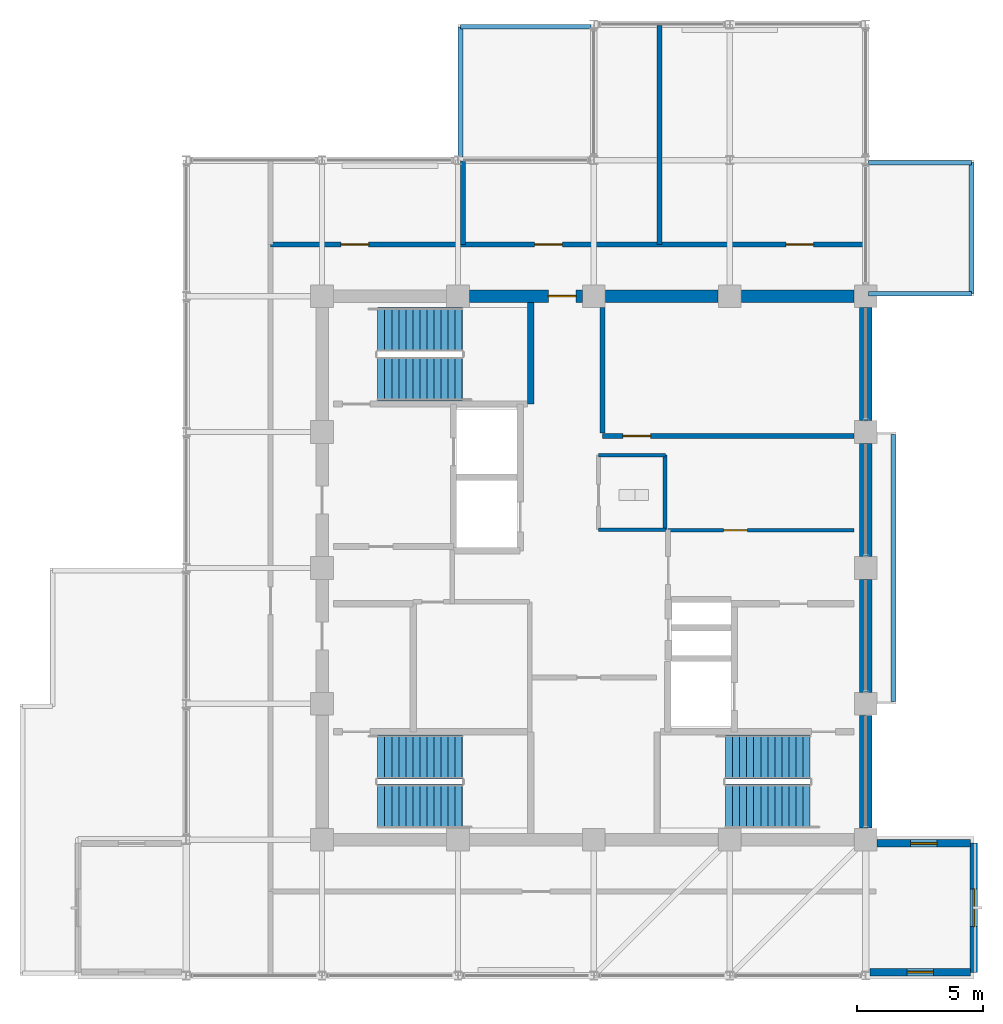
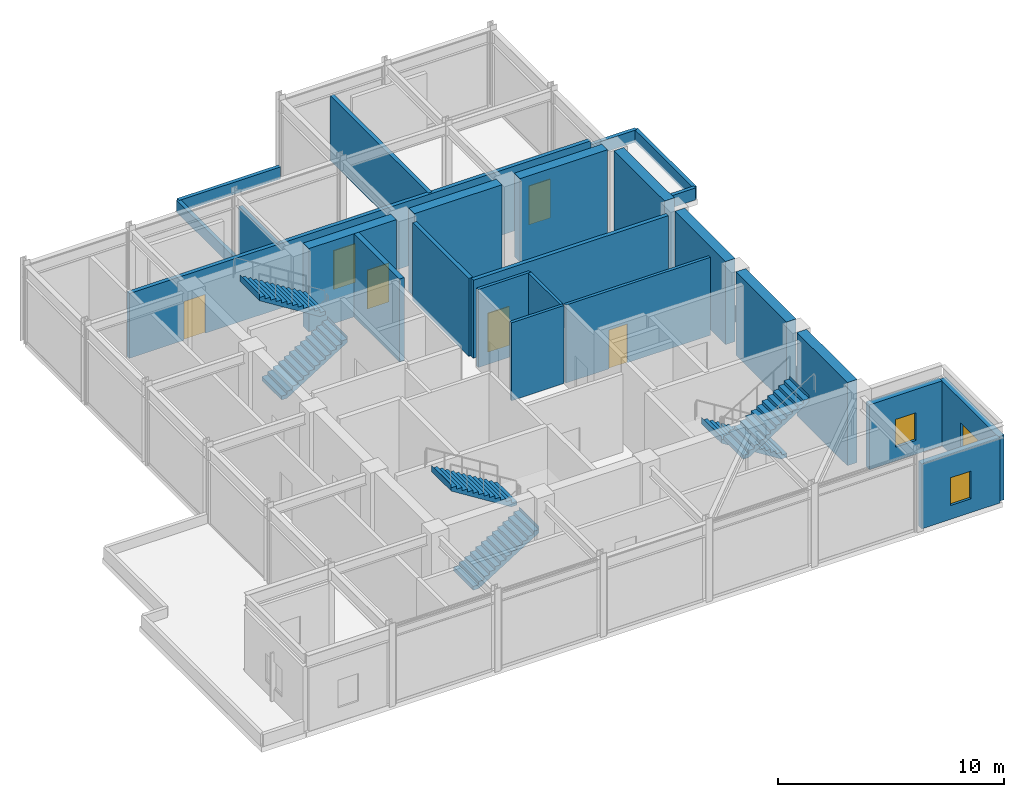
# One storey, part 14 of 18: 26 walls, 6 doors, 6 stair flights, 3 windows, 9 openings, 3 elements without a shape of their own.
"""IFC4 building model written with IfcOpenShell, lengths in metres."""

from ifc_helpers import new_model, si_unit, direction, frame, frame_2d, origin, place, context, subcontext, project, spatial, polyline, rectangle, outline, extrude, material, layer, layer_set, type_object, element, fill, aggregate, save


model = new_model("IFC4")

# Units and contexts
model_context = context("Model", 3, precision=1e-05, world=origin(), true_north=direction((0.0, 1.0)))
body_context = subcontext(model_context, "Body", "Model", "MODEL_VIEW")
ifc_project = project(units=[si_unit("LENGTHUNIT", "METRE"), si_unit("AREAUNIT", "SQUARE_METRE"), si_unit("VOLUMEUNIT", "CUBIC_METRE"), si_unit("PLANEANGLEUNIT", "RADIAN"), si_unit("MASSUNIT", "GRAM", prefix="KILO")], contexts=[model_context])

# Site, building, storey
site_placement = place(None, origin())
site = spatial("IfcSite", under=ifc_project, at=site_placement, CompositionType="ELEMENT")
building_placement = place(site_placement, origin())
building = spatial("IfcBuilding", under=site, at=building_placement, Name="Surkhivell Harbour Commons", CompositionType="ELEMENT")
storey_placement = place(building_placement, frame((0.0, 0.0, 351.0)))
storey = spatial("IfcBuildingStorey", under=building, at=storey_placement, Name="L91", CompositionType="ELEMENT", Elevation=351.0)

# Wall
ifc_material_1 = material(Name="Concrete C50/60", Category="concrete")
ifc_layer_1 = layer(ifc_material_1, 0.5)
ifc_layer_set_1 = layer_set([ifc_layer_1], Name="Concrete C50/60")
wall_type_1 = type_object("IfcWallType", Name="WAL-CORE-500", PredefinedType="SHEAR", material=ifc_layer_set_1)
wall_1_placement = place(storey_placement, frame((10.800048828125, -10.340087890625, 0.0), z_axis=(0.0, 0.0, 1.0), x_axis=(0.0, 1.0, 0.0)))
element("IfcWall", 1, at=wall_1_placement, inside=storey, type_object=wall_type_1, Name="L91 Core Shear Wall East 1", PredefinedType="SHEAR", context=body_context, shape_type="SweptSolid", body=[
    extrude(rectangle(XDim=4.47998046875, YDim=0.5, at=frame_2d((2.239990234375, 0.0))), origin(), (0.0, 0.0, 1.0), 4.5),
])

# Wall, opening, door
wall_2_placement = place(storey_placement, frame((-4.93994140625, 10.800048828125, 0.0), z_axis=(0.0, 0.0, 1.0), x_axis=(1.0, 0.0, 0.0)))
wall_2 = element("IfcWall", 2, at=wall_2_placement, inside=storey, type_object=wall_type_1, Name="L91 Core Shear Wall North 2", PredefinedType="SHEAR", context=body_context, shape_type="SweptSolid", body=[
    extrude(rectangle(XDim=4.47998046875, YDim=0.5, at=frame_2d((2.239990234375, 0.0))), origin(), (0.0, 0.0, 1.0), 4.5),
])
opening_1_placement = place(wall_2_placement, frame((3.1298828125, 0.0, 0.0)))
opening_1 = element("IfcOpeningElement", 3, at=opening_1_placement, cuts=wall_2, Name="Opening ID-2", PredefinedType="OPENING", context=body_context, shape_type="SweptSolid", body=[
    extrude(rectangle(XDim=1.10009765625, YDim=2.10009765625, at=frame_2d((0.550048828125, 1.050048828125))), frame((0.0, 0.260009765625, 0.0), z_axis=(0.0, -1.0, 0.0), x_axis=(1.0, 0.0, 0.0)), (0.0, 0.0, 1.0), 0.52001953125),
])
ifc_material_2 = material(Name="Hardwood-veneered fire-rated door leaf", Category="wood")
door_type_1 = type_object("IfcDoorType", Name="DOR-FD60-1100", OperationType="NOTDEFINED", PredefinedType="DOOR", material=ifc_material_2)
door_1_placement = place(opening_1_placement, origin())
door_1 = element("IfcDoor", 4, at=door_1_placement, inside=storey, type_object=door_type_1, Name="L91 Central Core Lift Hall North Corridor Door", OperationType="SINGLE_SWING_LEFT", OverallHeight=2.10009765625, OverallWidth=1.10009765625, PredefinedType="DOOR", context=body_context, shape_type="SweptSolid", body=[
    extrude(rectangle(XDim=1.10009765625, YDim=2.10009765625, at=frame_2d((0.550048828125, 1.050048828125))), frame((0.0, 0.02490234375, 0.0), z_axis=(0.0, -1.0, 0.0), x_axis=(1.0, 0.0, 0.0)), (0.0, 0.0, 1.0), 0.050048828125),
])
fill(opening_1, door_1)

# Walls
for number, where, z_axis, x_axis, name in (
    (5, (10.800048828125, -4.93994140625, 0.0), (0.0, 0.0, 1.0), (0.0, 1.0, 0.0), "L91 Core Shear Wall East 2"),
    (6, (0.4599609375, 10.800048828125, 0.0), (0.0, 0.0, 1.0), (1.0, 0.0, 0.0), "L91 Core Shear Wall North 3"),
    (7, (10.800048828125, 0.4599609375, 0.0), (0.0, 0.0, 1.0), (0.0, 1.0, 0.0), "L91 Core Shear Wall East 3"),
    (8, (5.860107421875, 10.800048828125, 0.0), (0.0, 0.0, 1.0), (1.0, 0.0, 0.0), "L91 Core Shear Wall North 4"),
    (9, (10.800048828125, 5.860107421875, 0.0), (0.0, 0.0, 1.0), (0.0, 1.0, 0.0), "L91 Core Shear Wall East 4"),
):
    element("IfcWall", number, at=place(storey_placement, frame(where, z_axis=z_axis, x_axis=x_axis)), inside=storey, type_object=wall_type_1, Name=name, PredefinedType="SHEAR", context=body_context, shape_type="SweptSolid", body=[
        extrude(rectangle(XDim=4.47998046875, YDim=0.5, at=frame_2d((2.239990234375, 0.0))), origin(), (0.0, 0.0, 1.0), 4.5),
    ])

# Wall, opening, window
ifc_material_3 = material(Name="Flemish-bond kiln brick and precast concrete C45/55", Category="masonry")
ifc_layer_2 = layer(ifc_material_3, 0.300048828125)
ifc_layer_set_2 = layer_set([ifc_layer_2], Name="Flemish-bond kiln brick and precast concrete C45/55")
wall_type_2 = type_object("IfcWallType", Name="WAL-EXT-BRK300", PredefinedType="STANDARD", material=ifc_layer_set_2)
wall_3_placement = place(storey_placement, frame((15.10009765625, -16.080078125, 0.0), z_axis=(0.0, 0.0, 1.0), x_axis=(0.0, 1.0, 0.0)))
wall_3 = element("IfcWall", 10, at=wall_3_placement, inside=storey, type_object=wall_type_2, Name="L91 Coloured Box Front Wall 01", PredefinedType="STANDARD", context=body_context, shape_type="SweptSolid", body=[
    extrude(rectangle(XDim=5.16015625, YDim=0.300048828125, at=frame_2d((2.580078125, 0.0))), origin(), (0.0, 0.0, 1.0), 3.507080078125),
])
opening_2_placement = place(wall_3_placement, frame((1.830078125, 0.0, 0.75)))
opening_2 = element("IfcOpeningElement", 11, at=opening_2_placement, cuts=wall_3, Name="Opening WN-13", PredefinedType="OPENING", context=body_context, shape_type="SweptSolid", body=[
    extrude(rectangle(XDim=1.5, YDim=1.5, at=frame_2d((0.75, 0.75))), frame((0.0, 0.159912109375, 0.0), z_axis=(0.0, -1.0, 0.0), x_axis=(1.0, 0.0, 0.0)), (0.0, 0.0, 1.0), 0.320068359375),
])
ifc_material_4 = material(Name="Thermal-break aluminium frame and double low-E glazing", Category="aluminium")
window_type_1 = type_object("IfcWindowType", Name="WIN-BOX-1500x1500", PartitioningType="SINGLE_PANEL", PredefinedType="WINDOW", material=ifc_material_4)
window_1_placement = place(opening_2_placement, origin())
window_1 = element("IfcWindow", 12, at=window_1_placement, inside=storey, type_object=window_type_1, Name="L91 Coloured Box Square Window 01-1", OverallHeight=1.5, OverallWidth=1.5, PartitioningType="SINGLE_PANEL", PredefinedType="WINDOW", context=body_context, shape_type="SweptSolid", body=[
    extrude(rectangle(XDim=1.5, YDim=1.5, at=frame_2d((0.75, 0.75))), frame((0.0, 0.030029296875, 0.0), z_axis=(0.0, -1.0, 0.0), x_axis=(1.0, 0.0, 0.0)), (0.0, 0.0, 1.0), 0.06005859375),
])
fill(opening_2, window_1)

wall_4_placement = place(storey_placement, frame((10.97412109375, -16.06005859375, 0.0), z_axis=(0.0, 0.0, 1.0), x_axis=(1.0, 0.0, 0.0)))
wall_4 = element("IfcWall", 13, at=wall_4_placement, inside=storey, type_object=wall_type_2, Name="L91 Coloured Box Return Wall 01S", PredefinedType="STANDARD", context=body_context, shape_type="SweptSolid", body=[
    extrude(rectangle(XDim=3.98583984375, YDim=0.300048828125, at=frame_2d((1.992919921875, 0.0))), origin(), (0.0, 0.0, 1.0), 3.507080078125),
])
opening_3_placement = place(wall_4_placement, frame((1.468017578125, 0.0, 0.75)))
opening_3 = element("IfcOpeningElement", 14, at=opening_3_placement, cuts=wall_4, Name="Opening WN-11", PredefinedType="OPENING", context=body_context, shape_type="SweptSolid", body=[
    extrude(rectangle(XDim=1.050048828125, YDim=1.5, at=frame_2d((0.52490234375, 0.75))), frame((0.0, 0.159912109375, 0.0), z_axis=(0.0, -1.0, 0.0), x_axis=(1.0, 0.0, 0.0)), (0.0, 0.0, 1.0), 0.320068359375),
])
window_type_2 = type_object("IfcWindowType", Name="WIN-SER-1050x1500", PartitioningType="SINGLE_PANEL", PredefinedType="WINDOW", material=ifc_material_4)
window_2_placement = place(opening_3_placement, origin())
window_2 = element("IfcWindow", 15, at=window_2_placement, inside=storey, type_object=window_type_2, Name="L91 Coloured Box Return Window 01S", OverallHeight=1.5, OverallWidth=1.050048828125, PartitioningType="SINGLE_PANEL", PredefinedType="WINDOW", context=body_context, shape_type="SweptSolid", body=[
    extrude(rectangle(XDim=1.050048828125, YDim=1.5, at=frame_2d((0.52490234375, 0.75))), frame((0.0, 0.030029296875, 0.0), z_axis=(0.0, -1.0, 0.0), x_axis=(1.0, 0.0, 0.0)), (0.0, 0.0, 1.0), 0.06005859375),
])
fill(opening_3, window_2)

wall_5_placement = place(storey_placement, frame((11.25390625, -10.93994140625, 0.0), z_axis=(0.0, 0.0, 1.0), x_axis=(1.0, 0.0, 0.0)))
wall_5 = element("IfcWall", 16, at=wall_5_placement, inside=storey, type_object=wall_type_2, Name="L91 Coloured Box Return Wall 01N", PredefinedType="STANDARD", context=body_context, shape_type="SweptSolid", body=[
    extrude(rectangle(XDim=3.7060546875, YDim=0.300048828125, at=frame_2d((1.85302734375, 0.0))), origin(), (0.0, 0.0, 1.0), 3.507080078125),
])
opening_4_placement = place(wall_5_placement, frame((1.327880859375, 0.0, 0.75)))
opening_4 = element("IfcOpeningElement", 17, at=opening_4_placement, cuts=wall_5, Name="Opening WN-11", PredefinedType="OPENING", context=body_context, shape_type="SweptSolid", body=[
    extrude(rectangle(XDim=1.050048828125, YDim=1.5, at=frame_2d((0.52490234375, 0.75))), frame((0.0, 0.159912109375, 0.0), z_axis=(0.0, -1.0, 0.0), x_axis=(1.0, 0.0, 0.0)), (0.0, 0.0, 1.0), 0.320068359375),
])
window_3_placement = place(opening_4_placement, origin())
window_3 = element("IfcWindow", 18, at=window_3_placement, inside=storey, type_object=window_type_2, Name="L91 Coloured Box Return Window 01N", OverallHeight=1.5, OverallWidth=1.050048828125, PartitioningType="SINGLE_PANEL", PredefinedType="WINDOW", context=body_context, shape_type="SweptSolid", body=[
    extrude(rectangle(XDim=1.050048828125, YDim=1.5, at=frame_2d((0.52490234375, 0.75))), frame((0.0, 0.030029296875, 0.0), z_axis=(0.0, -1.0, 0.0), x_axis=(1.0, 0.0, 0.0)), (0.0, 0.0, 1.0), 0.06005859375),
])
fill(opening_4, window_3)

# Walls
ifc_material_5 = material(Name="Twin-stud acoustic fireboard partition", Category="other")
ifc_layer_3 = layer(ifc_material_5, 0.14990234375)
ifc_layer_set_3 = layer_set([ifc_layer_3], Name="Twin-stud acoustic fireboard partition")
wall_type_3 = type_object("IfcWallType", Name="WAL-INT-150", PredefinedType="PARTITIONING", material=ifc_layer_set_3)
wall_6_placement = place(storey_placement, frame((2.820068359375, 1.52001953125, 0.0), z_axis=(0.0, 0.0, 1.0), x_axis=(0.0, 1.0, 0.0)))
element("IfcWall", 19, at=wall_6_placement, inside=storey, type_object=wall_type_3, Name="L91 Core Accessible WC East Wall", PredefinedType="PARTITIONING", context=body_context, shape_type="SweptSolid", body=[
    extrude(rectangle(XDim=2.9599609375, YDim=0.14990234375, at=frame_2d((1.47998046875, 0.0))), origin(), (0.0, 0.0, 1.0), 4.219970703125),
])
for number, where, z_axis, x_axis, name in (
    (20, (0.179931640625, 4.47998046875, 0.0), (0.0, 0.0, 1.0), (1.0, 0.0, 0.0), "L91 Core Accessible WC North Wall"),
    (21, (0.179931640625, 1.52001953125, 0.0), (0.0, 0.0, 1.0), (1.0, 0.0, 0.0), "L91 Core Accessible WC South Wall"),
):
    element("IfcWall", number, at=place(storey_placement, frame(where, z_axis=z_axis, x_axis=x_axis)), inside=storey, type_object=wall_type_3, Name=name, PredefinedType="PARTITIONING", context=body_context, shape_type="SweptSolid", body=[
        extrude(rectangle(XDim=2.670166015625, YDim=0.14990234375, at=frame_2d((1.3349609375, 0.0))), origin(), (0.0, 0.0, 1.0), 4.219970703125),
    ])

# Wall, opening, door
wall_7_placement = place(storey_placement, frame((2.949951171875, 1.5, 0.0), z_axis=(0.0, 0.0, 1.0), x_axis=(1.0, 0.0, 0.0)))
wall_7 = element("IfcWall", 22, at=wall_7_placement, inside=storey, type_object=wall_type_3, Name="L91 Crown East Core Corridor Wall", PredefinedType="PARTITIONING", context=body_context, shape_type="SweptSolid", body=[
    extrude(rectangle(XDim=7.39013671875, YDim=0.14990234375, at=frame_2d((3.695068359375, 0.0))), origin(), (0.0, 0.0, 1.0), 4.219970703125),
])
opening_5_placement = place(wall_7_placement, frame((2.199951171875, 0.0, 0.0)))
opening_5 = element("IfcOpeningElement", 23, at=opening_5_placement, cuts=wall_7, Name="Opening ID-4", PredefinedType="OPENING", context=body_context, shape_type="SweptSolid", body=[
    extrude(rectangle(XDim=0.949951171875, YDim=2.10009765625, at=frame_2d((0.47509765625, 1.050048828125))), frame((0.0, 0.0849609375, 0.0), z_axis=(0.0, -1.0, 0.0), x_axis=(1.0, 0.0, 0.0)), (0.0, 0.0, 1.0), 0.169921875),
])
door_type_2 = type_object("IfcDoorType", Name="DOR-FD60-950", OperationType="NOTDEFINED", PredefinedType="DOOR", material=ifc_material_2)
door_2_placement = place(opening_5_placement, origin())
door_2 = element("IfcDoor", 24, at=door_2_placement, inside=storey, type_object=door_type_2, Name="L91 Crown East Room Door", OperationType="SINGLE_SWING_RIGHT", OverallHeight=2.10009765625, OverallWidth=0.949951171875, PredefinedType="DOOR", context=body_context, shape_type="SweptSolid", body=[
    extrude(rectangle(XDim=0.949951171875, YDim=2.10009765625, at=frame_2d((0.47509765625, 1.050048828125))), frame((0.0, 0.02490234375, 0.0), z_axis=(0.0, -1.0, 0.0), x_axis=(1.0, 0.0, 0.0)), (0.0, 0.0, 1.0), 0.050048828125),
])
fill(opening_5, door_2)

ifc_material_6 = material(Name="Autoclaved aerated concrete blockwork and fire plaster", Category="masonry")
ifc_layer_4 = layer(ifc_material_6, 0.199951171875)
ifc_layer_set_4 = layer_set([ifc_layer_4], Name="Autoclaved aerated concrete blockwork and fire plaster")
wall_type_4 = type_object("IfcWallType", Name="WAL-INT-200", PredefinedType="PARTITIONING", material=ifc_layer_set_4)
wall_8_placement = place(storey_placement, frame((0.35009765625, 5.239990234375, 0.0), z_axis=(0.0, 0.0, 1.0), x_axis=(1.0, 0.0, 0.0)))
wall_8 = element("IfcWall", 25, at=wall_8_placement, inside=storey, type_object=wall_type_4, Name="L91 Reclaimed Core North Bay South Wall", PredefinedType="PARTITIONING", context=body_context, shape_type="SweptSolid", body=[
    extrude(rectangle(XDim=9.989990234375, YDim=0.199951171875, at=frame_2d((4.9951171875, 0.0))), origin(), (0.0, 0.0, 1.0), 4.219970703125),
])
opening_6_placement = place(wall_8_placement, frame((0.800048828125, 0.0, 0.0)))
opening_6 = element("IfcOpeningElement", 26, at=opening_6_placement, cuts=wall_8, Name="Opening ID-2", PredefinedType="OPENING", context=body_context, shape_type="SweptSolid", body=[
    extrude(rectangle(XDim=1.10009765625, YDim=2.10009765625, at=frame_2d((0.550048828125, 1.050048828125))), frame((0.0, 0.10986328125, 0.0), z_axis=(0.0, -1.0, 0.0), x_axis=(1.0, 0.0, 0.0)), (0.0, 0.0, 1.0), 0.219970703125),
])
door_3_placement = place(opening_6_placement, origin())
door_3 = element("IfcDoor", 27, at=door_3_placement, inside=storey, type_object=door_type_1, Name="L91 Core Fan Room Door", OperationType="SINGLE_SWING_LEFT", OverallHeight=2.10009765625, OverallWidth=1.10009765625, PredefinedType="DOOR", context=body_context, shape_type="SweptSolid", body=[
    extrude(rectangle(XDim=1.10009765625, YDim=2.10009765625, at=frame_2d((0.550048828125, 1.050048828125))), frame((0.0, 0.02490234375, 0.0), z_axis=(0.0, -1.0, 0.0), x_axis=(1.0, 0.0, 0.0)), (0.0, 0.0, 1.0), 0.050048828125),
])
fill(opening_6, door_3)

# Walls
wall_9_placement = place(storey_placement, frame((0.35009765625, 5.360107421875, 0.0), z_axis=(0.0, 0.0, 1.0), x_axis=(0.0, 1.0, 0.0)))
element("IfcWall", 28, at=wall_9_placement, inside=storey, type_object=wall_type_4, Name="L91 Reclaimed Core North Bay West Wall", PredefinedType="PARTITIONING", context=body_context, shape_type="SweptSolid", body=[
    extrude(rectangle(XDim=4.97998046875, YDim=0.199951171875, at=frame_2d((2.489990234375, 0.0))), origin(), (0.0, 0.0, 1.0), 4.219970703125),
])
wall_10_placement = place(storey_placement, frame((-5.199951171875, 12.85009765625, 0.0), z_axis=(0.0, 0.0, 1.0), x_axis=(0.0, 1.0, 0.0)))
element("IfcWall", 29, at=wall_10_placement, inside=storey, type_object=wall_type_4, Name="L91 Cooling Bay Wall 1", PredefinedType="PARTITIONING", context=body_context, shape_type="SweptSolid", body=[
    extrude(rectangle(XDim=3.309814453125, YDim=0.199951171875, at=frame_2d((1.65478515625, 0.0))), origin(), (0.0, 0.0, 1.0), 3.507080078125),
])
wall_11_placement = place(storey_placement, frame((2.60009765625, 12.85009765625, 0.0), z_axis=(0.0, 0.0, 1.0), x_axis=(0.0, 1.0, 0.0)))
element("IfcWall", 30, at=wall_11_placement, inside=storey, type_object=wall_type_4, Name="L91 Cooling Bay Wall 2", PredefinedType="PARTITIONING", context=body_context, shape_type="SweptSolid", body=[
    extrude(rectangle(XDim=8.7099609375, YDim=0.199951171875, at=frame_2d((4.35498046875, 0.0))), origin(), (0.0, 0.0, 1.0), 3.507080078125),
])

# Wall, openings, doors
wall_12_placement = place(storey_placement, frame((-12.85009765625, 12.85009765625, 0.0), z_axis=(0.0, 0.0, 1.0), x_axis=(1.0, 0.0, 0.0)))
wall_12 = element("IfcWall", 31, at=wall_12_placement, inside=storey, type_object=wall_type_4, Name="L91 Crown Corridor North Wall", PredefinedType="PARTITIONING", context=body_context, shape_type="SweptSolid", body=[
    extrude(rectangle(XDim=23.610107421875, YDim=0.199951171875, at=frame_2d((11.80517578125, 0.0))), origin(), (0.0, 0.0, 1.0), 3.507080078125),
])
opening_7_placement = place(wall_12_placement, frame((2.800048828125, 0.0, 0.0)))
opening_7 = element("IfcOpeningElement", 32, at=opening_7_placement, cuts=wall_12, Name="Opening ID-2", PredefinedType="OPENING", context=body_context, shape_type="SweptSolid", body=[
    extrude(rectangle(XDim=1.10009765625, YDim=2.10009765625, at=frame_2d((0.550048828125, 1.050048828125))), frame((0.0, 0.10986328125, 0.0), z_axis=(0.0, -1.0, 0.0), x_axis=(1.0, 0.0, 0.0)), (0.0, 0.0, 1.0), 0.219970703125),
])
opening_8_placement = place(wall_12_placement, frame((10.5, 0.0, 0.0)))
opening_8 = element("IfcOpeningElement", 33, at=opening_8_placement, cuts=wall_12, Name="Opening ID-2", PredefinedType="OPENING", context=body_context, shape_type="SweptSolid", body=[
    extrude(rectangle(XDim=1.10009765625, YDim=2.10009765625, at=frame_2d((0.550048828125, 1.050048828125))), frame((0.0, 0.10986328125, 0.0), z_axis=(0.0, -1.0, 0.0), x_axis=(1.0, 0.0, 0.0)), (0.0, 0.0, 1.0), 0.219970703125),
])
opening_9_placement = place(wall_12_placement, frame((20.4814453125, 0.0, 0.0)))
opening_9 = element("IfcOpeningElement", 34, at=opening_9_placement, cuts=wall_12, Name="Opening ID-2", PredefinedType="OPENING", context=body_context, shape_type="SweptSolid", body=[
    extrude(rectangle(XDim=1.10009765625, YDim=2.10009765625, at=frame_2d((0.550048828125, 1.050048828125))), frame((0.0, 0.10986328125, 0.0), z_axis=(0.0, -1.0, 0.0), x_axis=(1.0, 0.0, 0.0)), (0.0, 0.0, 1.0), 0.219970703125),
])
door_4_placement = place(opening_7_placement, origin())
door_4 = element("IfcDoor", 35, at=door_4_placement, inside=storey, type_object=door_type_1, Name="L91 L91 Primary Cooling Tower Bay 1 Door", OperationType="SINGLE_SWING_RIGHT", OverallHeight=2.10009765625, OverallWidth=1.10009765625, PredefinedType="DOOR", context=body_context, shape_type="SweptSolid", body=[
    extrude(rectangle(XDim=1.10009765625, YDim=2.10009765625, at=frame_2d((0.550048828125, 1.050048828125))), frame((0.0, 0.02490234375, 0.0), z_axis=(0.0, -1.0, 0.0), x_axis=(1.0, 0.0, 0.0)), (0.0, 0.0, 1.0), 0.050048828125),
])
fill(opening_7, door_4)
door_5_placement = place(opening_8_placement, origin())
door_5 = element("IfcDoor", 36, at=door_5_placement, inside=storey, type_object=door_type_1, Name="L91 L91 Primary Cooling Tower Bay 2 Door", OperationType="SINGLE_SWING_LEFT", OverallHeight=2.10009765625, OverallWidth=1.10009765625, PredefinedType="DOOR", context=body_context, shape_type="SweptSolid", body=[
    extrude(rectangle(XDim=1.10009765625, YDim=2.10009765625, at=frame_2d((0.550048828125, 1.050048828125))), frame((0.0, 0.02490234375, 0.0), z_axis=(0.0, -1.0, 0.0), x_axis=(1.0, 0.0, 0.0)), (0.0, 0.0, 1.0), 0.050048828125),
])
fill(opening_8, door_5)
door_6_placement = place(opening_9_placement, origin())
door_6 = element("IfcDoor", 37, at=door_6_placement, inside=storey, type_object=door_type_1, Name="L91 L91 Heat Rejection Fan Hall Door", OperationType="SINGLE_SWING_RIGHT", OverallHeight=2.10009765625, OverallWidth=1.10009765625, PredefinedType="DOOR", context=body_context, shape_type="SweptSolid", body=[
    extrude(rectangle(XDim=1.10009765625, YDim=2.10009765625, at=frame_2d((0.550048828125, 1.050048828125))), frame((0.0, 0.02490234375, 0.0), z_axis=(0.0, -1.0, 0.0), x_axis=(1.0, 0.0, 0.0)), (0.0, 0.0, 1.0), 0.050048828125),
])
fill(opening_9, door_6)

# Walls
ifc_material_7 = material(Name="Anodised aluminium and precast concrete C40/50", Category="concrete")
ifc_layer_5 = layer(ifc_material_7, 0.18505859375)
ifc_layer_set_5 = layer_set([ifc_layer_5], Name="Anodised aluminium and precast concrete C40/50")
wall_type_5 = type_object("IfcWallType", Name="WAL-PAR-185", PredefinedType="PARAPET", material=ifc_layer_set_5)
for number, where, z_axis, x_axis, name in (
    (38, (-0.1201171875, 21.5, 0.0), (0.0, 0.0, 1.0), (-1.0, 0.0, 0.0), "L91 Box Roof Coping Parapet 2-1"),
    (39, (-5.300048828125, 21.5, 0.0), (0.0, 0.0, 1.0), (0.0, -1.0, 0.0), "L91 Box Roof Coping Parapet 2-2"),
):
    element("IfcWall", number, at=place(storey_placement, frame(where, z_axis=z_axis, x_axis=x_axis)), inside=storey, type_object=wall_type_5, Name=name, PredefinedType="PARAPET", context=body_context, shape_type="SweptSolid", body=[
        extrude(rectangle(XDim=5.179931640625, YDim=0.18505859375, at=frame_2d((2.58984375, 0.0))), origin(), (0.0, 0.0, 1.0), 0.64990234375),
    ])
wall_13_placement = place(storey_placement, frame((10.919921875, 10.89990234375, 0.0), z_axis=(0.0, 0.0, 1.0), x_axis=(1.0, 0.0, 0.0)))
element("IfcWall", 40, at=wall_13_placement, inside=storey, type_object=wall_type_5, Name="L91 Box Roof Coping Parapet 3-1", PredefinedType="PARAPET", context=body_context, shape_type="SweptSolid", body=[
    extrude(rectangle(XDim=4.080078125, YDim=0.18505859375, at=frame_2d((2.0400390625, 0.0))), origin(), (0.0, 0.0, 1.0), 0.64990234375),
])
wall_14_placement = place(storey_placement, frame((15.0, 10.89990234375, 0.0), z_axis=(0.0, 0.0, 1.0), x_axis=(0.0, 1.0, 0.0)))
element("IfcWall", 41, at=wall_14_placement, inside=storey, type_object=wall_type_5, Name="L91 Box Roof Coping Parapet 3-2", PredefinedType="PARAPET", context=body_context, shape_type="SweptSolid", body=[
    extrude(rectangle(XDim=5.2001953125, YDim=0.18505859375, at=frame_2d((2.60009765625, 0.0))), origin(), (0.0, 0.0, 1.0), 0.64990234375),
])
wall_15_placement = place(storey_placement, frame((15.0, 16.10009765625, 0.0), z_axis=(0.0, 0.0, 1.0), x_axis=(-1.0, 0.0, 0.0)))
element("IfcWall", 42, at=wall_15_placement, inside=storey, type_object=wall_type_5, Name="L91 Box Roof Coping Parapet 3-3", PredefinedType="PARAPET", context=body_context, shape_type="SweptSolid", body=[
    extrude(rectangle(XDim=4.080078125, YDim=0.18505859375, at=frame_2d((2.0400390625, 0.0))), origin(), (0.0, 0.0, 1.0), 0.64990234375),
])
wall_16_placement = place(storey_placement, frame((11.89990234375, -5.300048828125, 0.0), z_axis=(0.0, 0.0, 1.0), x_axis=(0.0, 1.0, 0.0)))
element("IfcWall", 43, at=wall_16_placement, inside=storey, type_object=wall_type_5, Name="L91 Box Roof Coping Parapet 4-1", PredefinedType="PARAPET", context=body_context, shape_type="SweptSolid", body=[
    extrude(rectangle(XDim=10.60009765625, YDim=0.18505859375, at=frame_2d((5.300048828125, 0.0))), origin(), (0.0, 0.0, 1.0), 0.64990234375),
])
ifc_layer_6 = layer(ifc_material_1, 0.25)
ifc_layer_set_6 = layer_set([ifc_layer_6], Name="Concrete C50/60")
wall_type_6 = type_object("IfcWallType", Name="WAL-SHAFT-250", PredefinedType="SHEAR", material=ifc_layer_set_6)
wall_17_placement = place(storey_placement, frame((-2.510009765625, 6.510009765625, 0.0), z_axis=(0.0, 0.0, 1.0), x_axis=(0.0, 1.0, 0.0)))
element("IfcWall", 44, at=wall_17_placement, inside=storey, type_object=wall_type_6, Name="L91 Stair ST1 East Shear Wall", PredefinedType="SHEAR", context=body_context, shape_type="SweptSolid", body=[
    extrude(rectangle(XDim=4.0400390625, YDim=0.25, at=frame_2d((2.02001953125, 0.0))), origin(), (0.0, 0.0, 1.0), 4.5),
])

# Stair, stair flights
ifc_material_8 = material(Name="Precast concrete C45/55", Category="concrete")
stair_type = type_object("IfcStairType", Name="STR-DL-450", PredefinedType="HALF_TURN_STAIR", material=ifc_material_8)
stair_1_placement = place(storey_placement, origin())
stair_1 = element("IfcStair", 45, at=stair_1_placement, inside=storey, type_object=stair_type, Name="L91 Core Exit Stair ST1", PredefinedType="HALF_TURN_STAIR")
stair_flight_type = type_object("IfcStairFlightType", Name="STF-DL-450", PredefinedType="STRAIGHT", material=ifc_material_8)
stair_flight_1_placement = place(storey_placement, frame((-8.590087890625, 7.514892578125, 0.0), z_axis=(0.0, 0.0, 1.0), x_axis=(1.0, 0.0, 0.0)))
stair_flight_1 = element("IfcStairFlight", 46, at=stair_flight_1_placement, type_object=stair_flight_type, Name="ST1 flight 1", NumberOfRisers=13, NumberOfTreads=12, PredefinedType="STRAIGHT", RiserHeight=0.173076923, TreadLength=0.28, context=body_context, shape_type="SweptSolid", body=[
    extrude(outline(polyline([(-0.0029296875, -0.034912109375), (-0.0029296875, 0.0), (0.0, 0.0), (0.0, 0.173095703125), (0.280029296875, 0.173095703125), (0.280029296875, 0.34619140625), (0.56005859375, 0.34619140625), (0.56005859375, 0.519287109375), (0.840087890625, 0.519287109375), (0.840087890625, 0.6923828125), (1.1201171875, 0.6923828125), (1.1201171875, 0.865478515625), (1.39990234375, 0.865478515625), (1.39990234375, 1.03857421875), (1.679931640625, 1.03857421875), (1.679931640625, 1.21142578125), (1.9599609375, 1.21142578125), (1.9599609375, 1.384521484375), (2.239990234375, 1.384521484375), (2.239990234375, 1.5576171875), (2.52001953125, 1.5576171875), (2.52001953125, 1.730712890625), (2.800048828125, 1.730712890625), (2.800048828125, 1.90380859375), (3.080078125, 1.90380859375), (3.080078125, 2.076904296875), (3.360107421875, 2.076904296875), (3.360107421875, 2.25), (3.363037109375, 2.25), (3.363037109375, 1.900634765625), (0.28515625, -0.034912109375), (-0.0029296875, -0.034912109375)])), frame((0.0, 0.875, 0.0), z_axis=(0.0, -1.0, 0.0), x_axis=(1.0, 0.0, 0.0)), (0.0, 0.0, 1.0), 1.75),
])
stair_flight_2_placement = place(storey_placement, frame((-5.22998046875, 9.465087890625, 2.25), z_axis=(0.0, 0.0, 1.0), x_axis=(-1.0, 0.0, 0.0)))
stair_flight_2 = element("IfcStairFlight", 47, at=stair_flight_2_placement, type_object=stair_flight_type, Name="ST1 flight 2", NumberOfRisers=13, NumberOfTreads=12, PredefinedType="STRAIGHT", RiserHeight=0.173076923, TreadLength=0.28, context=body_context, shape_type="SweptSolid", body=[
    extrude(outline(polyline([(-0.0029296875, -0.034912109375), (-0.0029296875, 0.0), (0.0, 0.0), (0.0, 0.173095703125), (0.280029296875, 0.173095703125), (0.280029296875, 0.34619140625), (0.56005859375, 0.34619140625), (0.56005859375, 0.519287109375), (0.840087890625, 0.519287109375), (0.840087890625, 0.6923828125), (1.1201171875, 0.6923828125), (1.1201171875, 0.865478515625), (1.39990234375, 0.865478515625), (1.39990234375, 1.03857421875), (1.679931640625, 1.03857421875), (1.679931640625, 1.21142578125), (1.9599609375, 1.21142578125), (1.9599609375, 1.384521484375), (2.239990234375, 1.384521484375), (2.239990234375, 1.5576171875), (2.52001953125, 1.5576171875), (2.52001953125, 1.730712890625), (2.800048828125, 1.730712890625), (2.800048828125, 1.90380859375), (3.080078125, 1.90380859375), (3.080078125, 2.076904296875), (3.360107421875, 2.076904296875), (3.360107421875, 2.25), (3.363037109375, 2.25), (3.363037109375, 1.900634765625), (0.28515625, -0.034912109375), (-0.0029296875, -0.034912109375)])), frame((0.0, 0.875, 0.0), z_axis=(0.0, -1.0, 0.0), x_axis=(1.0, 0.0, 0.0)), (0.0, 0.0, 1.0), 1.75),
])
aggregate(stair_1, [stair_flight_1, stair_flight_2])

stair_2_placement = place(storey_placement, origin())
stair_2 = element("IfcStair", 48, at=stair_2_placement, inside=storey, type_object=stair_type, Name="L91 Core Exit Stair ST2", PredefinedType="HALF_TURN_STAIR")
stair_flight_3_placement = place(storey_placement, frame((8.590087890625, -7.514892578125, 0.0), z_axis=(0.0, 0.0, 1.0), x_axis=(-1.0, 0.0, 0.0)))
stair_flight_3 = element("IfcStairFlight", 49, at=stair_flight_3_placement, type_object=stair_flight_type, Name="ST2 flight 1", NumberOfRisers=13, NumberOfTreads=12, PredefinedType="STRAIGHT", RiserHeight=0.173076923, TreadLength=0.28, context=body_context, shape_type="SweptSolid", body=[
    extrude(outline(polyline([(-0.0029296875, -0.034912109375), (-0.0029296875, 0.0), (0.0, 0.0), (0.0, 0.173095703125), (0.280029296875, 0.173095703125), (0.280029296875, 0.34619140625), (0.56005859375, 0.34619140625), (0.56005859375, 0.519287109375), (0.840087890625, 0.519287109375), (0.840087890625, 0.6923828125), (1.1201171875, 0.6923828125), (1.1201171875, 0.865478515625), (1.39990234375, 0.865478515625), (1.39990234375, 1.03857421875), (1.679931640625, 1.03857421875), (1.679931640625, 1.21142578125), (1.9599609375, 1.21142578125), (1.9599609375, 1.384521484375), (2.239990234375, 1.384521484375), (2.239990234375, 1.5576171875), (2.52001953125, 1.5576171875), (2.52001953125, 1.730712890625), (2.800048828125, 1.730712890625), (2.800048828125, 1.90380859375), (3.080078125, 1.90380859375), (3.080078125, 2.076904296875), (3.360107421875, 2.076904296875), (3.360107421875, 2.25), (3.363037109375, 2.25), (3.363037109375, 1.900634765625), (0.28515625, -0.034912109375), (-0.0029296875, -0.034912109375)])), frame((0.0, 0.875, 0.0), z_axis=(0.0, -1.0, 0.0), x_axis=(1.0, 0.0, 0.0)), (0.0, 0.0, 1.0), 1.75),
])
stair_flight_4_placement = place(storey_placement, frame((5.22998046875, -9.465087890625, 2.25), z_axis=(0.0, 0.0, 1.0), x_axis=(1.0, 0.0, 0.0)))
stair_flight_4 = element("IfcStairFlight", 50, at=stair_flight_4_placement, type_object=stair_flight_type, Name="ST2 flight 2", NumberOfRisers=13, NumberOfTreads=12, PredefinedType="STRAIGHT", RiserHeight=0.173076923, TreadLength=0.28, context=body_context, shape_type="SweptSolid", body=[
    extrude(outline(polyline([(-0.0029296875, -0.034912109375), (-0.0029296875, 0.0), (0.0, 0.0), (0.0, 0.173095703125), (0.280029296875, 0.173095703125), (0.280029296875, 0.34619140625), (0.56005859375, 0.34619140625), (0.56005859375, 0.519287109375), (0.840087890625, 0.519287109375), (0.840087890625, 0.6923828125), (1.1201171875, 0.6923828125), (1.1201171875, 0.865478515625), (1.39990234375, 0.865478515625), (1.39990234375, 1.03857421875), (1.679931640625, 1.03857421875), (1.679931640625, 1.21142578125), (1.9599609375, 1.21142578125), (1.9599609375, 1.384521484375), (2.239990234375, 1.384521484375), (2.239990234375, 1.5576171875), (2.52001953125, 1.5576171875), (2.52001953125, 1.730712890625), (2.800048828125, 1.730712890625), (2.800048828125, 1.90380859375), (3.080078125, 1.90380859375), (3.080078125, 2.076904296875), (3.360107421875, 2.076904296875), (3.360107421875, 2.25), (3.363037109375, 2.25), (3.363037109375, 1.900634765625), (0.28515625, -0.034912109375), (-0.0029296875, -0.034912109375)])), frame((0.0, 0.875, 0.0), z_axis=(0.0, -1.0, 0.0), x_axis=(1.0, 0.0, 0.0)), (0.0, 0.0, 1.0), 1.75),
])
aggregate(stair_2, [stair_flight_3, stair_flight_4])

stair_3_placement = place(storey_placement, origin())
stair_3 = element("IfcStair", 51, at=stair_3_placement, inside=storey, type_object=stair_type, Name="L91 Core Exit Stair ST3", PredefinedType="HALF_TURN_STAIR")
stair_flight_5_placement = place(storey_placement, frame((-8.590087890625, -9.465087890625, 0.0), z_axis=(0.0, 0.0, 1.0), x_axis=(1.0, 0.0, 0.0)))
stair_flight_5 = element("IfcStairFlight", 52, at=stair_flight_5_placement, type_object=stair_flight_type, Name="ST3 flight 1", NumberOfRisers=13, NumberOfTreads=12, PredefinedType="STRAIGHT", RiserHeight=0.173076923, TreadLength=0.28, context=body_context, shape_type="SweptSolid", body=[
    extrude(outline(polyline([(-0.0029296875, -0.034912109375), (-0.0029296875, 0.0), (0.0, 0.0), (0.0, 0.173095703125), (0.280029296875, 0.173095703125), (0.280029296875, 0.34619140625), (0.56005859375, 0.34619140625), (0.56005859375, 0.519287109375), (0.840087890625, 0.519287109375), (0.840087890625, 0.6923828125), (1.1201171875, 0.6923828125), (1.1201171875, 0.865478515625), (1.39990234375, 0.865478515625), (1.39990234375, 1.03857421875), (1.679931640625, 1.03857421875), (1.679931640625, 1.21142578125), (1.9599609375, 1.21142578125), (1.9599609375, 1.384521484375), (2.239990234375, 1.384521484375), (2.239990234375, 1.5576171875), (2.52001953125, 1.5576171875), (2.52001953125, 1.730712890625), (2.800048828125, 1.730712890625), (2.800048828125, 1.90380859375), (3.080078125, 1.90380859375), (3.080078125, 2.076904296875), (3.360107421875, 2.076904296875), (3.360107421875, 2.25), (3.363037109375, 2.25), (3.363037109375, 1.900634765625), (0.28515625, -0.034912109375), (-0.0029296875, -0.034912109375)])), frame((0.0, 0.875, 0.0), z_axis=(0.0, -1.0, 0.0), x_axis=(1.0, 0.0, 0.0)), (0.0, 0.0, 1.0), 1.75),
])
stair_flight_6_placement = place(storey_placement, frame((-5.22998046875, -7.514892578125, 2.25), z_axis=(0.0, 0.0, 1.0), x_axis=(-1.0, 0.0, 0.0)))
stair_flight_6 = element("IfcStairFlight", 53, at=stair_flight_6_placement, type_object=stair_flight_type, Name="ST3 flight 2", NumberOfRisers=13, NumberOfTreads=12, PredefinedType="STRAIGHT", RiserHeight=0.173076923, TreadLength=0.28, context=body_context, shape_type="SweptSolid", body=[
    extrude(outline(polyline([(-0.0029296875, -0.034912109375), (-0.0029296875, 0.0), (0.0, 0.0), (0.0, 0.173095703125), (0.280029296875, 0.173095703125), (0.280029296875, 0.34619140625), (0.56005859375, 0.34619140625), (0.56005859375, 0.519287109375), (0.840087890625, 0.519287109375), (0.840087890625, 0.6923828125), (1.1201171875, 0.6923828125), (1.1201171875, 0.865478515625), (1.39990234375, 0.865478515625), (1.39990234375, 1.03857421875), (1.679931640625, 1.03857421875), (1.679931640625, 1.21142578125), (1.9599609375, 1.21142578125), (1.9599609375, 1.384521484375), (2.239990234375, 1.384521484375), (2.239990234375, 1.5576171875), (2.52001953125, 1.5576171875), (2.52001953125, 1.730712890625), (2.800048828125, 1.730712890625), (2.800048828125, 1.90380859375), (3.080078125, 1.90380859375), (3.080078125, 2.076904296875), (3.360107421875, 2.076904296875), (3.360107421875, 2.25), (3.363037109375, 2.25), (3.363037109375, 1.900634765625), (0.28515625, -0.034912109375), (-0.0029296875, -0.034912109375)])), frame((0.0, 0.875, 0.0), z_axis=(0.0, -1.0, 0.0), x_axis=(1.0, 0.0, 0.0)), (0.0, 0.0, 1.0), 1.75),
])
aggregate(stair_3, [stair_flight_5, stair_flight_6])

save(model, "model.ifc")
